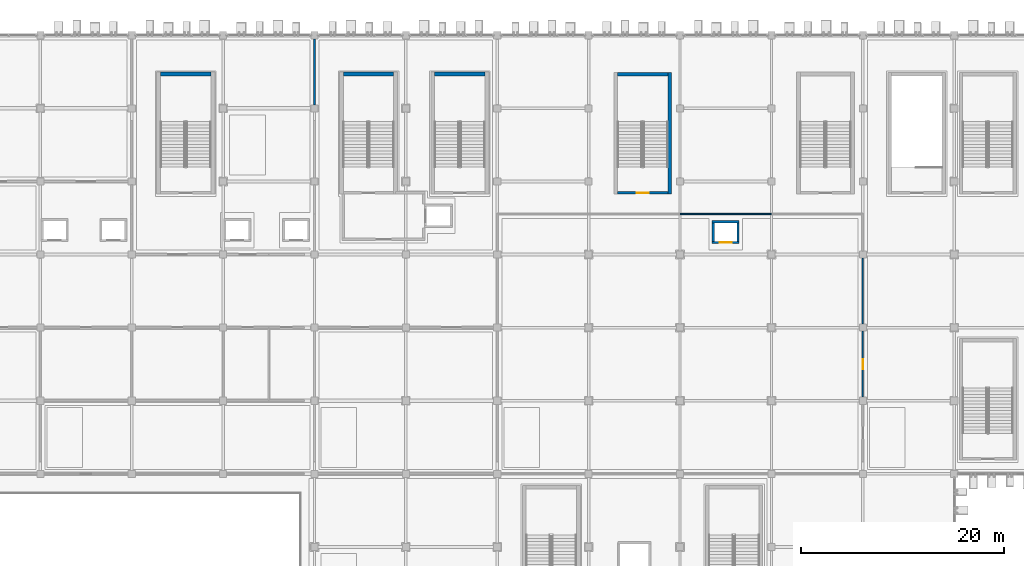
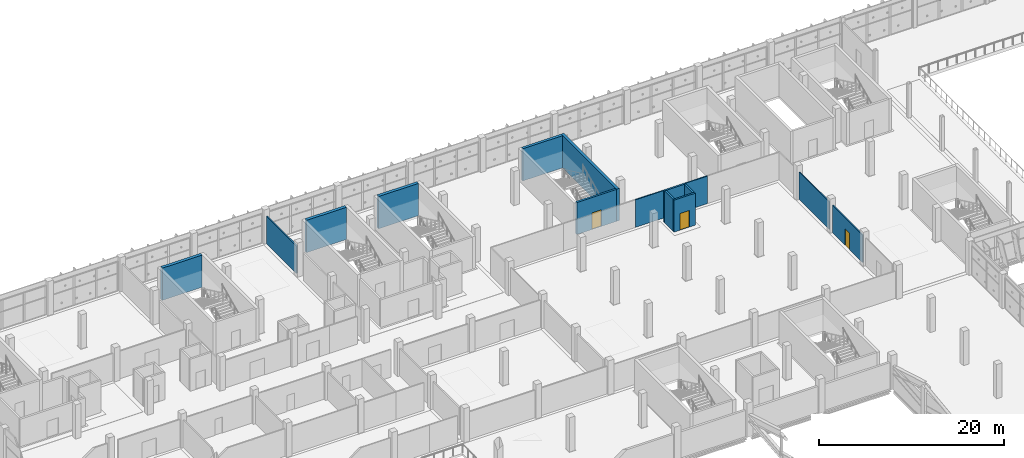
# One storey, part 118 of 151: 14 walls, 3 doors, 3 openings.
"""IFC4 building model written with IfcOpenShell, lengths in metres."""

from ifc_helpers import new_model, si_unit, direction, frame, frame_2d, origin, place, context, subcontext, project, spatial, rectangle, extrude, material, layer, layer_set, type_object, element, fill, save


model = new_model("IFC4")

# Units and contexts
model_context = context("Model", 3, precision=1e-05, world=origin(), true_north=direction((0.0, 1.0)))
body_context = subcontext(model_context, "Body", "Model", "MODEL_VIEW")
ifc_project = project(units=[si_unit("LENGTHUNIT", "METRE"), si_unit("AREAUNIT", "SQUARE_METRE"), si_unit("VOLUMEUNIT", "CUBIC_METRE"), si_unit("PLANEANGLEUNIT", "RADIAN"), si_unit("MASSUNIT", "GRAM", prefix="KILO")], contexts=[model_context])

# Site, building, storey
site_placement = place(None, origin())
site = spatial("IfcSite", under=ifc_project, at=site_placement, CompositionType="ELEMENT")
building_placement = place(site_placement, origin())
building = spatial("IfcBuilding", under=site, at=building_placement, Name="Celestram Park Convention Centre", CompositionType="ELEMENT")
storey_placement = place(building_placement, frame((0.0, 0.0, 10.800048828125)))
storey = spatial("IfcBuildingStorey", under=building, at=storey_placement, Name="L02", CompositionType="ELEMENT", Elevation=10.800048828125)

# Wall, opening, door
ifc_material_1 = material(Name="Concrete Block Masonry C25/30", Category="masonry")
ifc_layer_1 = layer(ifc_material_1, 0.25)
ifc_layer_set_1 = layer_set([ifc_layer_1], Name="Concrete Block Masonry C25/30")
wall_type_1 = type_object("IfcWallType", Name="ARC-WL-COR250", PredefinedType="STANDARD", material=ifc_layer_set_1)
wall_1_placement = place(storey_placement, frame((110.840087890625, 150.074951171875, 0.0), z_axis=(0.0, 0.0, 1.0), x_axis=(1.0, 0.0, 0.0)))
wall_1 = element("IfcWall", 1, at=wall_1_placement, inside=storey, type_object=wall_type_1, Name="Core S16 stair entrance wall", PredefinedType="STANDARD", context=body_context, shape_type="SweptSolid", body=[
    extrude(rectangle(XDim=4.9599609375, YDim=0.25, at=frame_2d((2.47998046875, 0.0))), origin(), (0.0, 0.0, 1.0), 4.219970703125),
])
opening_1_placement = place(wall_1_placement, frame((1.905029296875, 0.0, 0.0)))
opening_1 = element("IfcOpeningElement", 2, at=opening_1_placement, cuts=wall_1, Name="Opening D-ST1", PredefinedType="OPENING", context=body_context, shape_type="SweptSolid", body=[
    extrude(rectangle(XDim=1.14990234375, YDim=2.199951171875, at=frame_2d((0.574951171875, 1.10009765625))), frame((0.0, 0.135009765625, 0.0), z_axis=(0.0, -1.0, 0.0), x_axis=(1.0, 0.0, 0.0)), (0.0, 0.0, 1.0), 0.27001953125),
])
ifc_material_2 = material(Name="Fire-Rated Hollow Metal Steel ASTM A653", Category="steel")
door_type_1 = type_object("IfcDoorType", Name="ARC-DR-ST115", OperationType="NOTDEFINED", PredefinedType="DOOR", material=ifc_material_2)
door_1_placement = place(opening_1_placement, origin())
door_1 = element("IfcDoor", 3, at=door_1_placement, inside=storey, type_object=door_type_1, Name="Exit stair ST-16 fire door", OperationType="SINGLE_SWING_LEFT", OverallHeight=2.199951171875, OverallWidth=1.14990234375, PredefinedType="DOOR", context=body_context, shape_type="SweptSolid", body=[
    extrude(rectangle(XDim=1.14990234375, YDim=2.199951171875, at=frame_2d((0.574951171875, 1.10009765625))), frame((0.0, 0.02490234375, 0.0), z_axis=(0.0, -1.0, 0.0), x_axis=(1.0, 0.0, 0.0)), (0.0, 0.0, 1.0), 0.050048828125),
])
fill(opening_1, door_1)

# Wall
ifc_material_3 = material(Name="Standard Gypsum & Steel Stud 120 mm", Category="steel")
ifc_layer_2 = layer(ifc_material_3, 0.1201171875)
ifc_layer_set_2 = layer_set([ifc_layer_2], Name="Standard Gypsum & Steel Stud 120 mm")
wall_type_2 = type_object("IfcWallType", Name="ARC-WL-PRT120", PredefinedType="PARTITIONING", material=ifc_layer_set_2)
wall_2_placement = place(storey_placement, frame((117.0, 148.0, 0.0), z_axis=(0.0, 0.0, 1.0), x_axis=(1.0, 0.0, 0.0)))
element("IfcWall", 4, at=wall_2_placement, inside=storey, type_object=wall_type_2, Name="Interior partition WL-L02-IN0827", PredefinedType="PARTITIONING", context=body_context, shape_type="SweptSolid", body=[
    extrude(rectangle(XDim=9.0, YDim=0.1201171875, at=frame_2d((4.5, 0.0))), origin(), (0.0, 0.0, 1.0), 3.637939453125),
])

# Wall, opening, door
wall_3_placement = place(storey_placement, frame((135.0, 129.947998046875, 0.0), z_axis=(0.0, 0.0, 1.0), x_axis=(0.0, 1.0, 0.0)))
wall_3 = element("IfcWall", 5, at=wall_3_placement, inside=storey, type_object=wall_type_2, Name="Interior partition WL-L02-IN0853", PredefinedType="PARTITIONING", context=body_context, shape_type="SweptSolid", body=[
    extrude(rectangle(XDim=6.50390625, YDim=0.1201171875, at=frame_2d((3.251953125, 0.0))), origin(), (0.0, 0.0, 1.0), 3.637939453125),
])
opening_2_placement = place(wall_3_placement, frame((2.751953125, 0.0, 0.0)))
opening_2 = element("IfcOpeningElement", 6, at=opening_2_placement, cuts=wall_3, Name="Opening D-07", PredefinedType="OPENING", context=body_context, shape_type="SweptSolid", body=[
    extrude(rectangle(XDim=1.0, YDim=2.14990234375, at=frame_2d((0.5, 1.074951171875))), frame((0.0, 0.070068359375, 0.0), z_axis=(0.0, -1.0, 0.0), x_axis=(1.0, 0.0, 0.0)), (0.0, 0.0, 1.0), 0.14013671875),
])
ifc_material_4 = material(Name="Solid Core White Oak Single Door", Category="wood")
door_type_2 = type_object("IfcDoorType", Name="ARC-DR-RM100", OperationType="NOTDEFINED", PredefinedType="DOOR", material=ifc_material_4)
door_2_placement = place(opening_2_placement, origin())
door_2 = element("IfcDoor", 7, at=door_2_placement, inside=storey, type_object=door_type_2, Name="Cosmic Horizon Banquet Gallery entrance door", OperationType="SINGLE_SWING_LEFT", OverallHeight=2.14990234375, OverallWidth=1.0, PredefinedType="DOOR", context=body_context, shape_type="SweptSolid", body=[
    extrude(rectangle(XDim=1.0, YDim=2.14990234375, at=frame_2d((0.5, 1.074951171875))), frame((0.0, 0.02490234375, 0.0), z_axis=(0.0, -1.0, 0.0), x_axis=(1.0, 0.0, 0.0)), (0.0, 0.0, 1.0), 0.050048828125),
])
fill(opening_2, door_2)

# Walls
wall_4_placement = place(storey_placement, frame((135.0, 137.14794921875, 0.0), z_axis=(0.0, 0.0, 1.0), x_axis=(0.0, 1.0, 0.0)))
element("IfcWall", 8, at=wall_4_placement, inside=storey, type_object=wall_type_2, Name="Interior partition WL-L02-IN0854", PredefinedType="PARTITIONING", context=body_context, shape_type="SweptSolid", body=[
    extrude(rectangle(XDim=6.504150390625, YDim=0.1201171875, at=frame_2d((3.251953125, 0.0))), origin(), (0.0, 0.0, 1.0), 3.637939453125),
])
ifc_material_5 = material(Name="Acoustic Gypsum & Steel Stud 160 mm", Category="steel")
ifc_layer_3 = layer(ifc_material_5, 0.159912109375)
ifc_layer_set_3 = layer_set([ifc_layer_3], Name="Acoustic Gypsum & Steel Stud 160 mm")
wall_type_3 = type_object("IfcWallType", Name="ARC-WL-PRT160", PredefinedType="PARTITIONING", material=ifc_layer_set_3)
wall_5_placement = place(storey_placement, frame((81.0, 158.748046875, 0.0), z_axis=(0.0, 0.0, 1.0), x_axis=(0.0, 1.0, 0.0)))
element("IfcWall", 9, at=wall_5_placement, inside=storey, type_object=wall_type_3, Name="Interior partition WL-L02-IN0847", PredefinedType="PARTITIONING", context=body_context, shape_type="SweptSolid", body=[
    extrude(rectangle(XDim=6.50390625, YDim=0.159912109375, at=frame_2d((3.251953125, 0.0))), origin(), (0.0, 0.0, 1.0), 3.6279296875),
])

# Wall, opening, door
ifc_layer_4 = layer(ifc_material_1, 0.219970703125)
ifc_layer_set_4 = layer_set([ifc_layer_4], Name="Concrete Block Masonry C25/30")
wall_type_4 = type_object("IfcWallType", Name="ARC-WL-SHF220", PredefinedType="STANDARD", material=ifc_layer_set_4)
wall_6_placement = place(storey_placement, frame((120.169921875, 145.179931640625, 0.0), z_axis=(0.0, 0.0, 1.0), x_axis=(1.0, 0.0, 0.0)))
wall_6 = element("IfcWall", 10, at=wall_6_placement, inside=storey, type_object=wall_type_4, Name="Lift LP-06 shaft wall S", PredefinedType="STANDARD", context=body_context, shape_type="SweptSolid", body=[
    extrude(rectangle(XDim=2.66015625, YDim=0.219970703125, at=frame_2d((1.330078125, 0.0))), origin(), (0.0, 0.0, 1.0), 4.219970703125),
])
opening_3_placement = place(wall_6_placement, frame((0.72998046875, 0.0, 0.0)))
opening_3 = element("IfcOpeningElement", 11, at=opening_3_placement, cuts=wall_6, Name="Opening LD-01", PredefinedType="OPENING", context=body_context, shape_type="SweptSolid", body=[
    extrude(rectangle(XDim=1.199951171875, YDim=2.199951171875, at=frame_2d((0.60009765625, 1.10009765625))), frame((0.0, 0.119873046875, 0.0), z_axis=(0.0, -1.0, 0.0), x_axis=(1.0, 0.0, 0.0)), (0.0, 0.0, 1.0), 0.239990234375),
])
ifc_material_6 = material(Name="Brushed Stainless Steel AISI 304", Category="steel")
door_type_3 = type_object("IfcDoorType", Name="ARC-DR-LFT120", OperationType="NOTDEFINED", PredefinedType="DOOR", material=ifc_material_6)
door_3_placement = place(opening_3_placement, origin())
door_3 = element("IfcDoor", 12, at=door_3_placement, inside=storey, type_object=door_type_3, Name="Lift LP-06 sliding landing door", OperationType="DOUBLE_DOOR_SLIDING", OverallHeight=2.199951171875, OverallWidth=1.199951171875, PredefinedType="DOOR", context=body_context, shape_type="SweptSolid", body=[
    extrude(rectangle(XDim=1.199951171875, YDim=2.199951171875, at=frame_2d((0.60009765625, 1.10009765625))), frame((0.0, 0.02490234375, 0.0), z_axis=(0.0, -1.0, 0.0), x_axis=(1.0, 0.0, 0.0)), (0.0, 0.0, 1.0), 0.050048828125),
])
fill(opening_3, door_3)

# Walls
wall_7_placement = place(storey_placement, frame((122.830078125, 147.219970703125, 0.0), z_axis=(0.0, 0.0, 1.0), x_axis=(-1.0, 0.0, 0.0)))
element("IfcWall", 13, at=wall_7_placement, inside=storey, type_object=wall_type_4, Name="Lift LP-06 shaft wall N", PredefinedType="STANDARD", context=body_context, shape_type="SweptSolid", body=[
    extrude(rectangle(XDim=2.66015625, YDim=0.219970703125, at=frame_2d((1.330078125, 0.0))), origin(), (0.0, 0.0, 1.0), 4.219970703125),
])
for number, where, z_axis, x_axis, name in (
    (14, (120.280029296875, 147.110107421875, 0.0), (0.0, 0.0, 1.0), (0.0, -1.0, 0.0), "Lift LP-06 shaft wall W"),
    (15, (122.719970703125, 145.2900390625, 0.0), (0.0, 0.0, 1.0), (0.0, 1.0, 0.0), "Lift LP-06 shaft wall E"),
):
    element("IfcWall", number, at=place(storey_placement, frame(where, z_axis=z_axis, x_axis=x_axis)), inside=storey, type_object=wall_type_4, Name=name, PredefinedType="STANDARD", context=body_context, shape_type="SweptSolid", body=[
        extrude(rectangle(XDim=1.820068359375, YDim=0.219970703125, at=frame_2d((0.91015625, 0.0))), origin(), (0.0, 0.0, 1.0), 4.219970703125),
    ])
ifc_material_7 = material(Name="Concrete C40/50", Category="concrete")
ifc_layer_5 = layer(ifc_material_7, 0.340087890625)
ifc_layer_set_5 = layer_set([ifc_layer_5], Name="Concrete C40/50")
wall_type_5 = type_object("IfcWallType", Name="STR-WL-SHR340", PredefinedType="SHEAR", material=ifc_layer_set_5)
wall_8_placement = place(storey_placement, frame((115.969970703125, 161.93994140625, 0.0), z_axis=(0.0, 0.0, 1.0), x_axis=(0.0, -1.0, 0.0)))
element("IfcWall", 16, at=wall_8_placement, inside=storey, type_object=wall_type_5, Name="Core S16 shear wall R", PredefinedType="SHEAR", context=body_context, shape_type="SweptSolid", body=[
    extrude(rectangle(XDim=11.989990234375, YDim=0.340087890625, at=frame_2d((5.9951171875, 0.0))), origin(), (0.0, 0.0, 1.0), 4.25),
])
wall_9_placement = place(storey_placement, frame((110.840087890625, 161.77001953125, 0.0), z_axis=(0.0, 0.0, 1.0), x_axis=(1.0, 0.0, 0.0)))
element("IfcWall", 17, at=wall_9_placement, inside=storey, type_object=wall_type_5, Name="Core S16 shear wall F", PredefinedType="SHEAR", context=body_context, shape_type="SweptSolid", body=[
    extrude(rectangle(XDim=4.9599609375, YDim=0.340087890625, at=frame_2d((2.47998046875, 0.0))), origin(), (0.0, 0.0, 1.0), 4.25),
])
ifc_layer_6 = layer(ifc_material_7, 0.3798828125)
ifc_layer_set_6 = layer_set([ifc_layer_6], Name="Concrete C40/50")
wall_type_6 = type_object("IfcWallType", Name="STR-WL-SHR380", PredefinedType="SHEAR", material=ifc_layer_set_6)
for number, where, z_axis, x_axis, name in (
    (18, (83.840087890625, 161.7900390625, 0.0), (0.0, 0.0, 1.0), (1.0, 0.0, 0.0), "Core C2 shear wall F"),
    (19, (65.840087890625, 161.7900390625, 0.0), (0.0, 0.0, 1.0), (1.0, 0.0, 0.0), "Core S14 shear wall F"),
    (20, (92.840087890625, 161.7900390625, 0.0), (0.0, 0.0, 1.0), (1.0, 0.0, 0.0), "Core S19 shear wall F"),
):
    element("IfcWall", number, at=place(storey_placement, frame(where, z_axis=z_axis, x_axis=x_axis)), inside=storey, type_object=wall_type_6, Name=name, PredefinedType="SHEAR", context=body_context, shape_type="SweptSolid", body=[
        extrude(rectangle(XDim=4.9599609375, YDim=0.3798828125, at=frame_2d((2.47998046875, 0.0))), origin(), (0.0, 0.0, 1.0), 4.25),
    ])

save(model, "model.ifc")
